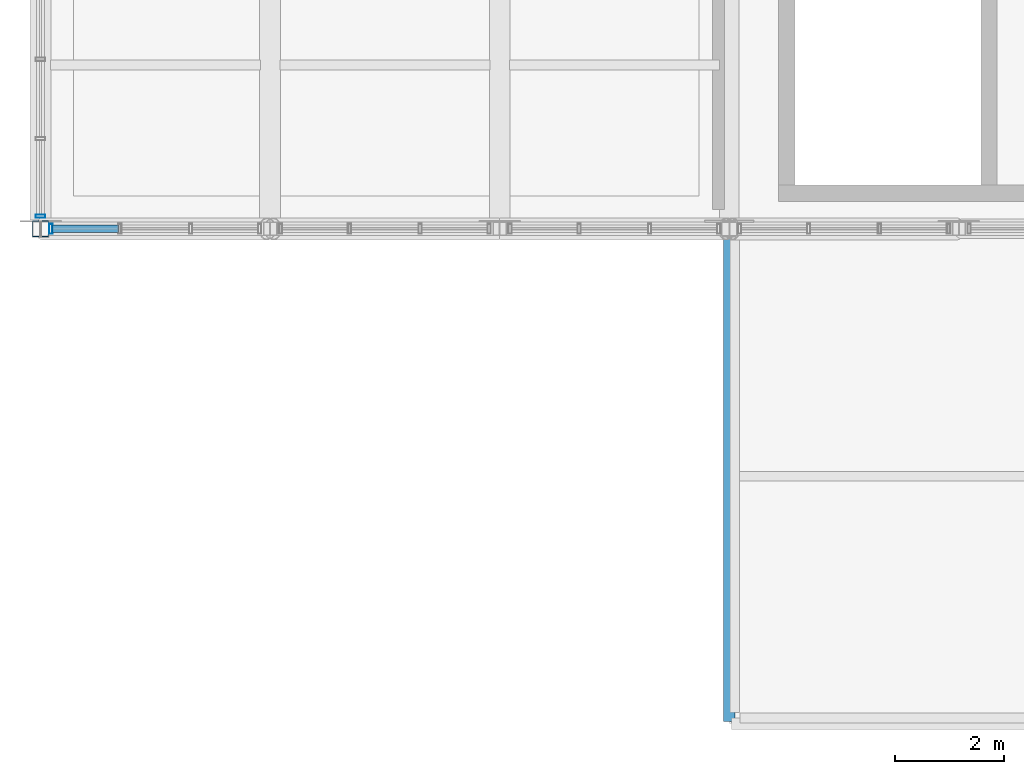
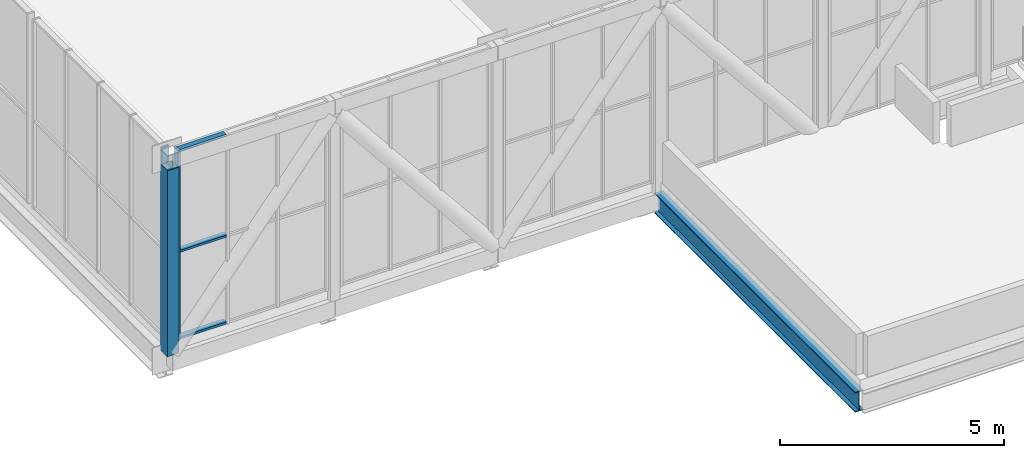
# One storey, part 1 of 58: 6 members, 1 beam, 2 elements without a shape of their own.
"""IFC4 building model written with IfcOpenShell, lengths in metres."""

from ifc_helpers import new_model, si_unit, direction, frame, origin, origin_2d, place, context, subcontext, project, spatial, hollow_rectangle, i_section, extrude, material, material_profile, profile_set, type_object, element, aggregate, save


model = new_model("IFC4")

# Units and contexts
model_context = context("Model", 3, precision=1e-05, world=origin(), true_north=direction((0.0, 1.0)))
body_context = subcontext(model_context, "Body", "Model", "MODEL_VIEW")
ifc_project = project(units=[si_unit("LENGTHUNIT", "METRE"), si_unit("AREAUNIT", "SQUARE_METRE"), si_unit("VOLUMEUNIT", "CUBIC_METRE"), si_unit("PLANEANGLEUNIT", "RADIAN"), si_unit("MASSUNIT", "GRAM", prefix="KILO")], contexts=[model_context])

# Site, building, storey
site_placement = place(None, origin())
site = spatial("IfcSite", under=ifc_project, at=site_placement, CompositionType="ELEMENT")
building_placement = place(site_placement, origin())
building = spatial("IfcBuilding", under=site, at=building_placement, Name="Khurvash Pelagic Aquarium", CompositionType="ELEMENT")
storey_placement = place(building_placement, frame((0.0, 0.0, 24.60009765625)))
storey = spatial("IfcBuildingStorey", under=building, at=storey_placement, Name="L05", CompositionType="ELEMENT", Elevation=24.60009765625)

# Beam
ifc_material_1 = material(Name="Steel ASTM A992 Grade 50", Category="steel")
ifc_material_profile_1 = material_profile(ifc_material_1, i_section(OverallWidth=0.214111328125, OverallDepth=0.549072265625, WebThickness=0.0146484375, FlangeThickness=0.023681640625, at=origin_2d()), Name="W21X93")
ifc_profile_set_1 = profile_set([ifc_material_profile_1], Name="Steel ASTM A992 Grade 50")
beam_type = type_object("IfcBeamType", Name="BM-11", PredefinedType="BEAM", material=ifc_profile_set_1)
beam_placement = place(storey_placement, frame((25.199951171875, 2.639892578125, -0.594482421875), z_axis=(0.0, 1.0, 0.0), x_axis=(-1.0, 0.0, 0.0)))
element("IfcBeam", 1, at=beam_placement, inside=storey, type_object=beam_type, Name="L05 Roof Girder BM-11 01275", PredefinedType="BEAM", context=body_context, shape_type="SweptSolid", body=[
    extrude(i_section(OverallWidth=0.214111328125, OverallDepth=0.549072265625, WebThickness=0.0146484375, FlangeThickness=0.023681640625, at=origin_2d()), origin(), (0.0, 0.0, 1.0), 8.97021484375),
])

# Curtain wall, member
ifc_material_2 = material(Name="Anodised aluminium and low-E laminated glass", Category="aluminium")
curtain_wall_type_1 = type_object("IfcCurtainWallType", Name="CW-01", PredefinedType="USERDEFINED", material=ifc_material_2)
curtain_wall_1_placement = place(storey_placement, origin())
curtain_wall_1 = element("IfcCurtainWall", 2, at=curtain_wall_1_placement, inside=storey, type_object=curtain_wall_type_1, Name="L05 South Sky-Bar Unitised Curtain Wall CW-01 P01", ObjectType="UNITISED CURTAIN WALL", PredefinedType="USERDEFINED")
ifc_material_3 = material(Name="Extruded aluminium AW-6063-T6", Category="aluminium")
ifc_material_profile_2 = material_profile(ifc_material_3, hollow_rectangle(XDim=0.06005859375, YDim=0.179931640625, WallThickness=0.00390625, at=origin_2d()), Name="CWM60X180X4")
ifc_profile_set_2 = profile_set([ifc_material_profile_2], Name="Extruded aluminium AW-6063-T6")
member_type_1 = type_object("IfcMemberType", Name="CM-01", PredefinedType="MULLION", material=ifc_profile_set_2)
member_1_placement = place(storey_placement, frame((12.7900390625, 11.64990234375, 0.0), z_axis=(0.0, 0.0, 1.0), x_axis=(1.0, 0.0, 0.0)))
member_1 = element("IfcMember", 3, at=member_1_placement, type_object=member_type_1, Name="CW-01 mullion 1", PredefinedType="MULLION", context=body_context, shape_type="SweptSolid", body=[
    extrude(hollow_rectangle(XDim=0.06005859375, YDim=0.179931640625, WallThickness=0.00390625, at=origin_2d()), origin(), (0.0, 0.0, 1.0), 5.179931640625),
])

curtain_wall_type_2 = type_object("IfcCurtainWallType", Name="CW-04", PredefinedType="USERDEFINED", material=ifc_material_2)
curtain_wall_2_placement = place(storey_placement, origin())
curtain_wall_2 = element("IfcCurtainWall", 4, at=curtain_wall_2_placement, inside=storey, type_object=curtain_wall_type_2, Name="L05 West Cantilever Overlook Curtain Wall CW-04", ObjectType="UNITISED CURTAIN WALL", PredefinedType="USERDEFINED")
member_2_placement = place(storey_placement, frame((12.60009765625, 11.8798828125, 0.0), z_axis=(0.0, 0.0, 1.0), x_axis=(0.0, 1.0, 0.0)))
member_2 = element("IfcMember", 5, at=member_2_placement, type_object=member_type_1, Name="CW-04 mullion 1", PredefinedType="MULLION", context=body_context, shape_type="SweptSolid", body=[
    extrude(hollow_rectangle(XDim=0.06005859375, YDim=0.179931640625, WallThickness=0.00390625, at=origin_2d()), origin(), (0.0, 0.0, 1.0), 5.179931640625),
])
aggregate(curtain_wall_2, [member_2])

# Member
ifc_material_profile_3 = material_profile(ifc_material_3, hollow_rectangle(XDim=0.139892578125, YDim=0.06005859375, WallThickness=0.00390625, at=origin_2d()), Name="CWT140X60X4")
ifc_profile_set_3 = profile_set([ifc_material_profile_3], Name="Extruded aluminium AW-6063-T6")
member_type_2 = type_object("IfcMemberType", Name="CT-01", PredefinedType="USERDEFINED", material=ifc_profile_set_3)
member_3_placement = place(storey_placement, frame((12.820068359375, 11.64990234375, 0.02978515625), z_axis=(1.0, 0.0, 0.0), x_axis=(0.0, 1.0, 0.0)))
member_3 = element("IfcMember", 6, at=member_3_placement, type_object=member_type_2, Name="CW-01 transom 1.1", ObjectType="TRANSOM", PredefinedType="USERDEFINED", context=body_context, shape_type="SweptSolid", body=[
    extrude(hollow_rectangle(XDim=0.139892578125, YDim=0.06005859375, WallThickness=0.00390625, at=origin_2d()), origin(), (0.0, 0.0, 1.0), 1.203369140625),
])

member_4_placement = place(storey_placement, frame((12.820068359375, 11.64990234375, 2.39990234375), z_axis=(1.0, 0.0, 0.0), x_axis=(0.0, 1.0, 0.0)))
member_4 = element("IfcMember", 7, at=member_4_placement, type_object=member_type_2, Name="CW-01 transom 1.2", ObjectType="TRANSOM", PredefinedType="USERDEFINED", context=body_context, shape_type="SweptSolid", body=[
    extrude(hollow_rectangle(XDim=0.139892578125, YDim=0.06005859375, WallThickness=0.00390625, at=origin_2d()), origin(), (0.0, 0.0, 1.0), 1.203369140625),
])

member_5_placement = place(storey_placement, frame((12.820068359375, 11.64990234375, 5.14990234375), z_axis=(1.0, 0.0, 0.0), x_axis=(0.0, 1.0, 0.0)))
member_5 = element("IfcMember", 8, at=member_5_placement, type_object=member_type_2, Name="CW-01 transom 1.3", ObjectType="TRANSOM", PredefinedType="USERDEFINED", context=body_context, shape_type="SweptSolid", body=[
    extrude(hollow_rectangle(XDim=0.139892578125, YDim=0.06005859375, WallThickness=0.00390625, at=origin_2d()), origin(), (0.0, 0.0, 1.0), 1.203369140625),
])

aggregate(curtain_wall_1, [member_1, member_3, member_4, member_5])

ifc_material_4 = material(Name="Steel S355J2", Category="steel")
ifc_material_profile_4 = material_profile(ifc_material_4, hollow_rectangle(XDim=0.300048828125, YDim=0.300048828125, WallThickness=0.01611328125, at=origin_2d()), Name="SHS300X300X16")
ifc_profile_set_4 = profile_set([ifc_material_profile_4], Name="Steel S355J2")
member_type_3 = type_object("IfcMemberType", Name="TV-01", PredefinedType="POST", material=ifc_profile_set_4)
member_6_placement = place(storey_placement, frame((12.60009765625, 11.64990234375, -0.300048828125), z_axis=(0.0, 0.0, 1.0), x_axis=(1.0, 0.0, 0.0)))
element("IfcMember", 9, at=member_6_placement, inside=storey, type_object=member_type_3, Name="L05 South Sky-Bar Truss Post TV-01 N01", PredefinedType="POST", context=body_context, shape_type="SweptSolid", body=[
    extrude(hollow_rectangle(XDim=0.300048828125, YDim=0.300048828125, WallThickness=0.01611328125, at=origin_2d()), origin(), (0.0, 0.0, 1.0), 5.079833984375),
])

save(model, "model.ifc")
